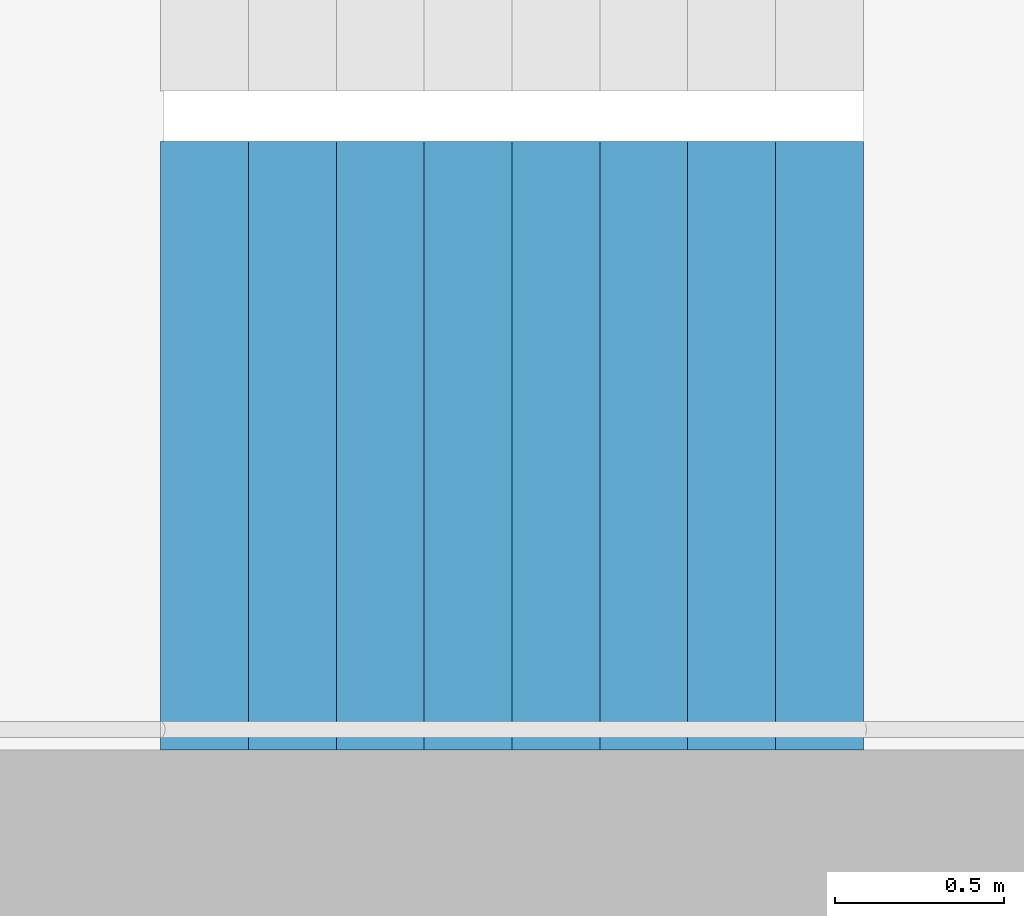
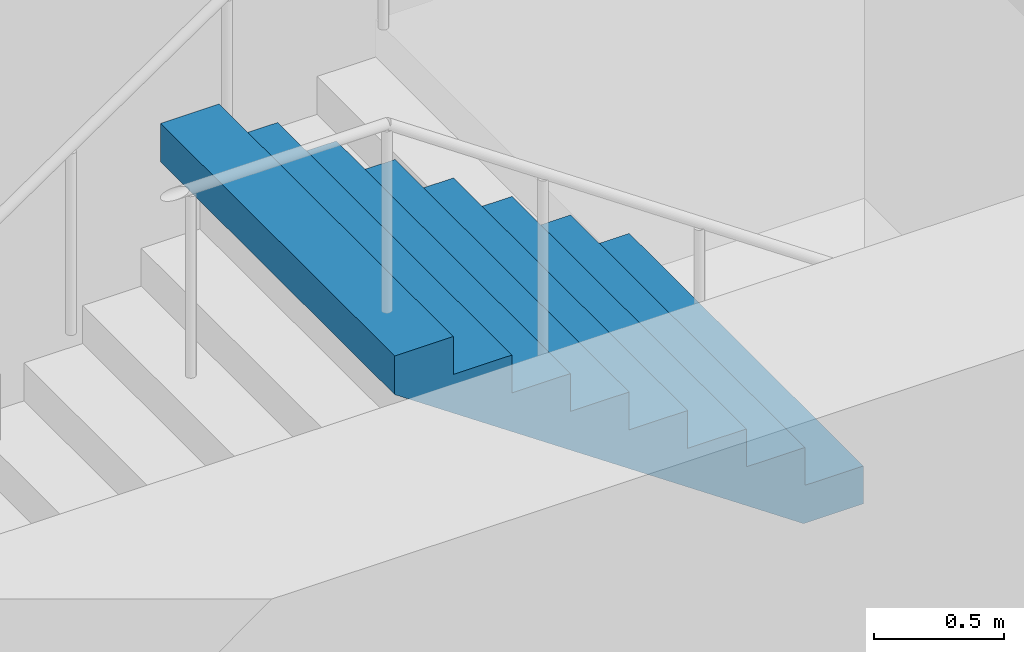
# One storey, part 24 of 28: 1 stair flight, 1 element without a shape of its own.
"""IFC4 building model written with IfcOpenShell, lengths in metres."""

from ifc_helpers import new_model, si_unit, direction, frame, origin, place, context, subcontext, project, spatial, triangles, material, type_object, element, aggregate, save


model = new_model("IFC4")

# Units and contexts
model_context = context("Model", 3, precision=1e-05, world=origin(), true_north=direction((0.0, 1.0)))
body_context = subcontext(model_context, "Body", "Model", "MODEL_VIEW")
ifc_project = project(units=[si_unit("LENGTHUNIT", "METRE"), si_unit("AREAUNIT", "SQUARE_METRE"), si_unit("VOLUMEUNIT", "CUBIC_METRE"), si_unit("PLANEANGLEUNIT", "RADIAN"), si_unit("MASSUNIT", "GRAM", prefix="KILO")], contexts=[model_context])

# Site, building, storey
site_placement = place(None, origin())
site = spatial("IfcSite", under=ifc_project, at=site_placement, CompositionType="ELEMENT")
building_placement = place(site_placement, origin())
building = spatial("IfcBuilding", under=site, at=building_placement, Name="Hakoniwa Tower and Hamabe Station Hall", CompositionType="ELEMENT")
storey_placement = place(building_placement, frame((0.0, 0.0, 35.800048828125)))
storey = spatial("IfcBuildingStorey", under=building, at=storey_placement, Name="L09", CompositionType="ELEMENT", Elevation=35.800048828125)

# Stair, stair flight
ifc_material_1 = material(Name="Concrete C40", Category="concrete")
stair_type = type_object("IfcStairType", Name="ESCAPE STAIR 1800", PredefinedType="HALF_TURN_STAIR", material=ifc_material_1)
stair_placement = place(storey_placement, origin())
stair = element("IfcStair", 1, at=stair_placement, inside=storey, type_object=stair_type, Name="Escape stair ST-4 L09", PredefinedType="HALF_TURN_STAIR")
ifc_material_2 = material(Name="Concrete C40", Category="concrete")
stair_flight_type = type_object("IfcStairFlightType", Name="STAIR FLIGHT 1800", PredefinedType="STRAIGHT", material=ifc_material_2)
stair_flight_placement = place(storey_placement, frame((25.47998046875, -6.60009765625, 1.599853515625), z_axis=(0.0, 0.0, 1.0), x_axis=(-1.0, 0.0, 0.0)))
stair_flight = element("IfcStairFlight", 2, at=stair_flight_placement, type_object=stair_flight_type, Name="ST-4 flight 2", NumberOfRisers=9, NumberOfTreads=8, PredefinedType="STRAIGHT", RiserHeight=0.177777778, TreadLength=0.26, context=body_context, shape_type="Tessellation", body=[
    triangles([(0.0, 0.89990234375, 0.0), (0.260009765625, 0.89990234375, 0.0), (0.265625, 0.89990234375, 0.0), (0.52001953125, 0.89990234375, 0.174072265625), (0.780029296875, 0.89990234375, 0.351806640625), (1.0400390625, 0.89990234375, 0.529541015625), (1.300048828125, 0.89990234375, 0.707275390625), (1.56005859375, 0.89990234375, 0.885009765625), (1.820068359375, 0.89990234375, 1.062744140625), (2.080078125, 0.89990234375, 1.24072265625), (2.080078125, 0.89990234375, 1.422119140625), (1.820068359375, 0.89990234375, 1.422119140625), (1.820068359375, 0.89990234375, 1.244384765625), (1.56005859375, 0.89990234375, 1.244384765625), (1.56005859375, 0.89990234375, 1.066650390625), (1.300048828125, 0.89990234375, 1.066650390625), (1.300048828125, 0.89990234375, 0.888916015625), (1.0400390625, 0.89990234375, 0.888916015625), (1.0400390625, 0.89990234375, 0.711181640625), (0.780029296875, 0.89990234375, 0.711181640625), (0.780029296875, 0.89990234375, 0.533447265625), (0.52001953125, 0.89990234375, 0.533447265625), (0.52001953125, 0.89990234375, 0.35546875), (0.265625, 0.89990234375, 0.35546875), (0.260009765625, 0.89990234375, 0.35546875), (0.260009765625, 0.89990234375, 0.177734375), (0.0, 0.89990234375, 0.177734375), (0.0, 0.06005859375, 0.0), (0.260009765625, 0.06005859375, 0.0), (0.265625, 0.06005859375, 0.0), (0.52001953125, 0.06005859375, 0.174072265625), (0.780029296875, 0.06005859375, 0.351806640625), (1.0400390625, 0.06005859375, 0.529541015625), (1.300048828125, 0.06005859375, 0.707275390625), (1.56005859375, 0.06005859375, 0.885009765625), (1.820068359375, 0.06005859375, 1.062744140625), (2.080078125, 0.06005859375, 1.24072265625), (2.080078125, 0.06005859375, 1.422119140625), (1.820068359375, 0.06005859375, 1.422119140625), (1.820068359375, 0.06005859375, 1.244384765625), (1.56005859375, 0.06005859375, 1.244384765625), (1.56005859375, 0.06005859375, 1.066650390625), (1.300048828125, 0.06005859375, 1.066650390625), (1.300048828125, 0.06005859375, 0.888916015625), (1.0400390625, 0.06005859375, 0.888916015625), (1.0400390625, 0.06005859375, 0.711181640625), (0.780029296875, 0.06005859375, 0.711181640625), (0.780029296875, 0.06005859375, 0.533447265625), (0.52001953125, 0.06005859375, 0.533447265625), (0.52001953125, 0.06005859375, 0.35546875), (0.265625, 0.06005859375, 0.35546875), (0.260009765625, 0.06005859375, 0.35546875), (0.260009765625, 0.06005859375, 0.177734375), (0.0, 0.06005859375, 0.177734375), (0.0, 0.04296875, 0.0), (0.260009765625, 0.04296875, 0.0), (0.265625, 0.04296875, 0.0), (0.52001953125, 0.04296875, 0.174072265625), (0.780029296875, 0.04296875, 0.351806640625), (1.0400390625, 0.04296875, 0.529541015625), (1.300048828125, 0.04296875, 0.707275390625), (1.56005859375, 0.04296875, 0.885009765625), (1.820068359375, 0.04296875, 1.062744140625), (2.080078125, 0.04296875, 1.24072265625), (2.080078125, 0.04296875, 1.422119140625), (1.820068359375, 0.04296875, 1.422119140625), (1.820068359375, 0.04296875, 1.244384765625), (1.56005859375, 0.04296875, 1.244384765625), (1.56005859375, 0.04296875, 1.066650390625), (1.300048828125, 0.04296875, 1.066650390625), (1.300048828125, 0.04296875, 0.888916015625), (1.0400390625, 0.04296875, 0.888916015625), (1.0400390625, 0.04296875, 0.711181640625), (0.780029296875, 0.04296875, 0.711181640625), (0.780029296875, 0.04296875, 0.533447265625), (0.52001953125, 0.04296875, 0.533447265625), (0.52001953125, 0.04296875, 0.35546875), (0.265625, 0.04296875, 0.35546875), (0.260009765625, 0.04296875, 0.35546875), (0.260009765625, 0.04296875, 0.177734375), (0.0, 0.04296875, 0.177734375), (0.0, 0.025634765625, 0.0), (0.260009765625, 0.025634765625, 0.0), (0.265625, 0.025634765625, 0.0), (0.52001953125, 0.025634765625, 0.174072265625), (0.780029296875, 0.025634765625, 0.351806640625), (1.0400390625, 0.025634765625, 0.529541015625), (1.300048828125, 0.025634765625, 0.707275390625), (1.56005859375, 0.025634765625, 0.885009765625), (1.820068359375, 0.025634765625, 1.062744140625), (2.080078125, 0.025634765625, 1.24072265625), (2.080078125, 0.025634765625, 1.422119140625), (1.820068359375, 0.025634765625, 1.422119140625), (1.820068359375, 0.025634765625, 1.244384765625), (1.56005859375, 0.025634765625, 1.244384765625), (1.56005859375, 0.025634765625, 1.066650390625), (1.300048828125, 0.025634765625, 1.066650390625), (1.300048828125, 0.025634765625, 0.888916015625), (1.0400390625, 0.025634765625, 0.888916015625), (1.0400390625, 0.025634765625, 0.711181640625), (0.780029296875, 0.025634765625, 0.711181640625), (0.780029296875, 0.025634765625, 0.533447265625), (0.52001953125, 0.025634765625, 0.533447265625), (0.52001953125, 0.025634765625, 0.35546875), (0.265625, 0.025634765625, 0.35546875), (0.260009765625, 0.025634765625, 0.35546875), (0.260009765625, 0.025634765625, 0.177734375), (0.0, 0.025634765625, 0.177734375), (0.0, 0.008544921875, 0.0), (0.260009765625, 0.008544921875, 0.0), (0.265625, 0.008544921875, 0.0), (0.52001953125, 0.008544921875, 0.174072265625), (0.780029296875, 0.008544921875, 0.351806640625), (1.0400390625, 0.008544921875, 0.529541015625), (1.300048828125, 0.008544921875, 0.707275390625), (1.56005859375, 0.008544921875, 0.885009765625), (1.820068359375, 0.008544921875, 1.062744140625), (2.080078125, 0.008544921875, 1.24072265625), (2.080078125, 0.008544921875, 1.422119140625), (1.820068359375, 0.008544921875, 1.422119140625), (1.820068359375, 0.008544921875, 1.244384765625), (1.56005859375, 0.008544921875, 1.244384765625), (1.56005859375, 0.008544921875, 1.066650390625), (1.300048828125, 0.008544921875, 1.066650390625), (1.300048828125, 0.008544921875, 0.888916015625), (1.0400390625, 0.008544921875, 0.888916015625), (1.0400390625, 0.008544921875, 0.711181640625), (0.780029296875, 0.008544921875, 0.711181640625), (0.780029296875, 0.008544921875, 0.533447265625), (0.52001953125, 0.008544921875, 0.533447265625), (0.52001953125, 0.008544921875, 0.35546875), (0.265625, 0.008544921875, 0.35546875), (0.260009765625, 0.008544921875, 0.35546875), (0.260009765625, 0.008544921875, 0.177734375), (0.0, 0.008544921875, 0.177734375), (0.0, -0.008544921875, 0.0), (0.260009765625, -0.008544921875, 0.0), (0.265625, -0.008544921875, 0.0), (0.52001953125, -0.008544921875, 0.174072265625), (0.780029296875, -0.008544921875, 0.351806640625), (1.0400390625, -0.008544921875, 0.529541015625), (1.300048828125, -0.008544921875, 0.707275390625), (1.56005859375, -0.008544921875, 0.885009765625), (1.820068359375, -0.008544921875, 1.062744140625), (2.080078125, -0.008544921875, 1.24072265625), (2.080078125, -0.008544921875, 1.422119140625), (1.820068359375, -0.008544921875, 1.422119140625), (1.820068359375, -0.008544921875, 1.244384765625), (1.56005859375, -0.008544921875, 1.244384765625), (1.56005859375, -0.008544921875, 1.066650390625), (1.300048828125, -0.008544921875, 1.066650390625), (1.300048828125, -0.008544921875, 0.888916015625), (1.0400390625, -0.008544921875, 0.888916015625), (1.0400390625, -0.008544921875, 0.711181640625), (0.780029296875, -0.008544921875, 0.711181640625), (0.780029296875, -0.008544921875, 0.533447265625), (0.52001953125, -0.008544921875, 0.533447265625), (0.52001953125, -0.008544921875, 0.35546875), (0.265625, -0.008544921875, 0.35546875), (0.260009765625, -0.008544921875, 0.35546875), (0.260009765625, -0.008544921875, 0.177734375), (0.0, -0.008544921875, 0.177734375), (0.0, -0.025634765625, 0.0), (0.260009765625, -0.025634765625, 0.0), (0.265625, -0.025634765625, 0.0), (0.52001953125, -0.025634765625, 0.174072265625), (0.780029296875, -0.025634765625, 0.351806640625), (1.0400390625, -0.025634765625, 0.529541015625), (1.300048828125, -0.025634765625, 0.707275390625), (1.56005859375, -0.025634765625, 0.885009765625), (1.820068359375, -0.025634765625, 1.062744140625), (2.080078125, -0.025634765625, 1.24072265625), (2.080078125, -0.025634765625, 1.422119140625), (1.820068359375, -0.025634765625, 1.422119140625), (1.820068359375, -0.025634765625, 1.244384765625), (1.56005859375, -0.025634765625, 1.244384765625), (1.56005859375, -0.025634765625, 1.066650390625), (1.300048828125, -0.025634765625, 1.066650390625), (1.300048828125, -0.025634765625, 0.888916015625), (1.0400390625, -0.025634765625, 0.888916015625), (1.0400390625, -0.025634765625, 0.711181640625), (0.780029296875, -0.025634765625, 0.711181640625), (0.780029296875, -0.025634765625, 0.533447265625), (0.52001953125, -0.025634765625, 0.533447265625), (0.52001953125, -0.025634765625, 0.35546875), (0.265625, -0.025634765625, 0.35546875), (0.260009765625, -0.025634765625, 0.35546875), (0.260009765625, -0.025634765625, 0.177734375), (0.0, -0.025634765625, 0.177734375), (0.0, -0.04296875, 0.0), (0.260009765625, -0.04296875, 0.0), (0.265625, -0.04296875, 0.0), (0.52001953125, -0.04296875, 0.174072265625), (0.780029296875, -0.04296875, 0.351806640625), (1.0400390625, -0.04296875, 0.529541015625), (1.300048828125, -0.04296875, 0.707275390625), (1.56005859375, -0.04296875, 0.885009765625), (1.820068359375, -0.04296875, 1.062744140625), (2.080078125, -0.04296875, 1.24072265625), (2.080078125, -0.04296875, 1.422119140625), (1.820068359375, -0.04296875, 1.422119140625), (1.820068359375, -0.04296875, 1.244384765625), (1.56005859375, -0.04296875, 1.244384765625), (1.56005859375, -0.04296875, 1.066650390625), (1.300048828125, -0.04296875, 1.066650390625), (1.300048828125, -0.04296875, 0.888916015625), (1.0400390625, -0.04296875, 0.888916015625), (1.0400390625, -0.04296875, 0.711181640625), (0.780029296875, -0.04296875, 0.711181640625), (0.780029296875, -0.04296875, 0.533447265625), (0.52001953125, -0.04296875, 0.533447265625), (0.52001953125, -0.04296875, 0.35546875), (0.265625, -0.04296875, 0.35546875), (0.260009765625, -0.04296875, 0.35546875), (0.260009765625, -0.04296875, 0.177734375), (0.0, -0.04296875, 0.177734375), (0.0, -0.06005859375, 0.0), (0.260009765625, -0.06005859375, 0.0), (0.265625, -0.06005859375, 0.0), (0.52001953125, -0.06005859375, 0.174072265625), (0.780029296875, -0.06005859375, 0.351806640625), (1.0400390625, -0.06005859375, 0.529541015625), (1.300048828125, -0.06005859375, 0.707275390625), (1.56005859375, -0.06005859375, 0.885009765625), (1.820068359375, -0.06005859375, 1.062744140625), (2.080078125, -0.06005859375, 1.24072265625), (2.080078125, -0.06005859375, 1.422119140625), (1.820068359375, -0.06005859375, 1.422119140625), (1.820068359375, -0.06005859375, 1.244384765625), (1.56005859375, -0.06005859375, 1.244384765625), (1.56005859375, -0.06005859375, 1.066650390625), (1.300048828125, -0.06005859375, 1.066650390625), (1.300048828125, -0.06005859375, 0.888916015625), (1.0400390625, -0.06005859375, 0.888916015625), (1.0400390625, -0.06005859375, 0.711181640625), (0.780029296875, -0.06005859375, 0.711181640625), (0.780029296875, -0.06005859375, 0.533447265625), (0.52001953125, -0.06005859375, 0.533447265625), (0.52001953125, -0.06005859375, 0.35546875), (0.265625, -0.06005859375, 0.35546875), (0.260009765625, -0.06005859375, 0.35546875), (0.260009765625, -0.06005859375, 0.177734375), (0.0, -0.06005859375, 0.177734375), (0.0, -0.89990234375, 0.0), (0.260009765625, -0.89990234375, 0.0), (0.265625, -0.89990234375, 0.0), (0.52001953125, -0.89990234375, 0.174072265625), (0.780029296875, -0.89990234375, 0.351806640625), (1.0400390625, -0.89990234375, 0.529541015625), (1.300048828125, -0.89990234375, 0.707275390625), (1.56005859375, -0.89990234375, 0.885009765625), (1.820068359375, -0.89990234375, 1.062744140625), (2.080078125, -0.89990234375, 1.24072265625), (2.080078125, -0.89990234375, 1.422119140625), (1.820068359375, -0.89990234375, 1.422119140625), (1.820068359375, -0.89990234375, 1.244384765625), (1.56005859375, -0.89990234375, 1.244384765625), (1.56005859375, -0.89990234375, 1.066650390625), (1.300048828125, -0.89990234375, 1.066650390625), (1.300048828125, -0.89990234375, 0.888916015625), (1.0400390625, -0.89990234375, 0.888916015625), (1.0400390625, -0.89990234375, 0.711181640625), (0.780029296875, -0.89990234375, 0.711181640625), (0.780029296875, -0.89990234375, 0.533447265625), (0.52001953125, -0.89990234375, 0.533447265625), (0.52001953125, -0.89990234375, 0.35546875), (0.265625, -0.89990234375, 0.35546875), (0.260009765625, -0.89990234375, 0.35546875), (0.260009765625, -0.89990234375, 0.177734375), (0.0, -0.89990234375, 0.177734375)], [[2, 27, 26], [245, 269, 270], [2, 1, 27], [245, 270, 244], [3, 25, 24], [246, 267, 268], [3, 26, 25], [246, 268, 269], [3, 2, 26], [246, 269, 245], [4, 24, 23], [247, 266, 267], [4, 3, 24], [247, 267, 246], [5, 22, 21], [248, 264, 265], [5, 23, 22], [248, 265, 266], [5, 4, 23], [248, 266, 247], [6, 20, 19], [249, 262, 263], [6, 21, 20], [249, 263, 264], [6, 5, 21], [249, 264, 248], [7, 18, 17], [250, 260, 261], [7, 19, 18], [250, 261, 262], [7, 6, 19], [250, 262, 249], [8, 16, 15], [251, 258, 259], [8, 17, 16], [251, 259, 260], [8, 7, 17], [251, 260, 250], [9, 14, 13], [252, 256, 257], [9, 15, 14], [252, 257, 258], [9, 8, 15], [252, 258, 251], [10, 12, 11], [253, 254, 255], [10, 13, 12], [253, 255, 256], [10, 9, 13], [253, 256, 252], [1, 2, 29], [1, 29, 28], [28, 29, 56], [28, 56, 55], [55, 56, 83], [55, 83, 82], [82, 83, 110], [82, 110, 109], [109, 110, 137], [109, 137, 136], [136, 137, 164], [136, 164, 163], [163, 164, 191], [163, 191, 190], [190, 191, 218], [190, 218, 217], [217, 218, 245], [217, 245, 244], [2, 3, 30], [2, 30, 29], [29, 30, 57], [29, 57, 56], [56, 57, 84], [56, 84, 83], [83, 84, 111], [83, 111, 110], [110, 111, 138], [110, 138, 137], [137, 138, 165], [137, 165, 164], [164, 165, 192], [164, 192, 191], [191, 192, 219], [191, 219, 218], [218, 219, 246], [218, 246, 245], [3, 4, 31], [3, 31, 30], [30, 31, 58], [30, 58, 57], [57, 58, 85], [57, 85, 84], [84, 85, 112], [84, 112, 111], [111, 112, 139], [111, 139, 138], [138, 139, 166], [138, 166, 165], [165, 166, 193], [165, 193, 192], [192, 193, 220], [192, 220, 219], [219, 220, 247], [219, 247, 246], [4, 5, 32], [4, 32, 31], [31, 32, 59], [31, 59, 58], [58, 59, 86], [58, 86, 85], [85, 86, 113], [85, 113, 112], [112, 113, 140], [112, 140, 139], [139, 140, 167], [139, 167, 166], [166, 167, 194], [166, 194, 193], [193, 194, 221], [193, 221, 220], [220, 221, 248], [220, 248, 247], [5, 6, 33], [5, 33, 32], [32, 33, 60], [32, 60, 59], [59, 60, 87], [59, 87, 86], [86, 87, 114], [86, 114, 113], [113, 114, 141], [113, 141, 140], [140, 141, 168], [140, 168, 167], [167, 168, 195], [167, 195, 194], [194, 195, 222], [194, 222, 221], [221, 222, 249], [221, 249, 248], [6, 7, 34], [6, 34, 33], [33, 34, 61], [33, 61, 60], [60, 61, 88], [60, 88, 87], [87, 88, 115], [87, 115, 114], [114, 115, 142], [114, 142, 141], [141, 142, 169], [141, 169, 168], [168, 169, 196], [168, 196, 195], [195, 196, 223], [195, 223, 222], [222, 223, 250], [222, 250, 249], [7, 8, 35], [7, 35, 34], [34, 35, 62], [34, 62, 61], [61, 62, 89], [61, 89, 88], [88, 89, 116], [88, 116, 115], [115, 116, 143], [115, 143, 142], [142, 143, 170], [142, 170, 169], [169, 170, 197], [169, 197, 196], [196, 197, 224], [196, 224, 223], [223, 224, 251], [223, 251, 250], [8, 9, 36], [8, 36, 35], [35, 36, 63], [35, 63, 62], [62, 63, 90], [62, 90, 89], [89, 90, 117], [89, 117, 116], [116, 117, 144], [116, 144, 143], [143, 144, 171], [143, 171, 170], [170, 171, 198], [170, 198, 197], [197, 198, 225], [197, 225, 224], [224, 225, 252], [224, 252, 251], [9, 10, 37], [9, 37, 36], [36, 37, 64], [36, 64, 63], [63, 64, 91], [63, 91, 90], [90, 91, 118], [90, 118, 117], [117, 118, 145], [117, 145, 144], [144, 145, 172], [144, 172, 171], [171, 172, 199], [171, 199, 198], [198, 199, 226], [198, 226, 225], [225, 226, 253], [225, 253, 252], [10, 11, 38], [10, 38, 37], [37, 38, 65], [37, 65, 64], [64, 65, 92], [64, 92, 91], [91, 92, 119], [91, 119, 118], [118, 119, 146], [118, 146, 145], [145, 146, 173], [145, 173, 172], [172, 173, 200], [172, 200, 199], [199, 200, 227], [199, 227, 226], [226, 227, 254], [226, 254, 253], [11, 12, 39], [11, 39, 38], [38, 39, 66], [38, 66, 65], [65, 66, 93], [65, 93, 92], [92, 93, 120], [92, 120, 119], [119, 120, 147], [119, 147, 146], [146, 147, 174], [146, 174, 173], [173, 174, 201], [173, 201, 200], [200, 201, 228], [200, 228, 227], [227, 228, 255], [227, 255, 254], [12, 13, 40], [12, 40, 39], [39, 40, 67], [39, 67, 66], [66, 67, 94], [66, 94, 93], [93, 94, 121], [93, 121, 120], [120, 121, 148], [120, 148, 147], [147, 148, 175], [147, 175, 174], [174, 175, 202], [174, 202, 201], [201, 202, 229], [201, 229, 228], [228, 229, 256], [228, 256, 255], [13, 14, 41], [13, 41, 40], [40, 41, 68], [40, 68, 67], [67, 68, 95], [67, 95, 94], [94, 95, 122], [94, 122, 121], [121, 122, 149], [121, 149, 148], [148, 149, 176], [148, 176, 175], [175, 176, 203], [175, 203, 202], [202, 203, 230], [202, 230, 229], [229, 230, 257], [229, 257, 256], [14, 15, 42], [14, 42, 41], [41, 42, 69], [41, 69, 68], [68, 69, 96], [68, 96, 95], [95, 96, 123], [95, 123, 122], [122, 123, 150], [122, 150, 149], [149, 150, 177], [149, 177, 176], [176, 177, 204], [176, 204, 203], [203, 204, 231], [203, 231, 230], [230, 231, 258], [230, 258, 257], [15, 16, 43], [15, 43, 42], [42, 43, 70], [42, 70, 69], [69, 70, 97], [69, 97, 96], [96, 97, 124], [96, 124, 123], [123, 124, 151], [123, 151, 150], [150, 151, 178], [150, 178, 177], [177, 178, 205], [177, 205, 204], [204, 205, 232], [204, 232, 231], [231, 232, 259], [231, 259, 258], [16, 17, 44], [16, 44, 43], [43, 44, 71], [43, 71, 70], [70, 71, 98], [70, 98, 97], [97, 98, 125], [97, 125, 124], [124, 125, 152], [124, 152, 151], [151, 152, 179], [151, 179, 178], [178, 179, 206], [178, 206, 205], [205, 206, 233], [205, 233, 232], [232, 233, 260], [232, 260, 259], [17, 18, 45], [17, 45, 44], [44, 45, 72], [44, 72, 71], [71, 72, 99], [71, 99, 98], [98, 99, 126], [98, 126, 125], [125, 126, 153], [125, 153, 152], [152, 153, 180], [152, 180, 179], [179, 180, 207], [179, 207, 206], [206, 207, 234], [206, 234, 233], [233, 234, 261], [233, 261, 260], [18, 19, 46], [18, 46, 45], [45, 46, 73], [45, 73, 72], [72, 73, 100], [72, 100, 99], [99, 100, 127], [99, 127, 126], [126, 127, 154], [126, 154, 153], [153, 154, 181], [153, 181, 180], [180, 181, 208], [180, 208, 207], [207, 208, 235], [207, 235, 234], [234, 235, 262], [234, 262, 261], [19, 20, 47], [19, 47, 46], [46, 47, 74], [46, 74, 73], [73, 74, 101], [73, 101, 100], [100, 101, 128], [100, 128, 127], [127, 128, 155], [127, 155, 154], [154, 155, 182], [154, 182, 181], [181, 182, 209], [181, 209, 208], [208, 209, 236], [208, 236, 235], [235, 236, 263], [235, 263, 262], [20, 21, 48], [20, 48, 47], [47, 48, 75], [47, 75, 74], [74, 75, 102], [74, 102, 101], [101, 102, 129], [101, 129, 128], [128, 129, 156], [128, 156, 155], [155, 156, 183], [155, 183, 182], [182, 183, 210], [182, 210, 209], [209, 210, 237], [209, 237, 236], [236, 237, 264], [236, 264, 263], [21, 22, 49], [21, 49, 48], [48, 49, 76], [48, 76, 75], [75, 76, 103], [75, 103, 102], [102, 103, 130], [102, 130, 129], [129, 130, 157], [129, 157, 156], [156, 157, 184], [156, 184, 183], [183, 184, 211], [183, 211, 210], [210, 211, 238], [210, 238, 237], [237, 238, 265], [237, 265, 264], [22, 23, 50], [22, 50, 49], [49, 50, 77], [49, 77, 76], [76, 77, 104], [76, 104, 103], [103, 104, 131], [103, 131, 130], [130, 131, 158], [130, 158, 157], [157, 158, 185], [157, 185, 184], [184, 185, 212], [184, 212, 211], [211, 212, 239], [211, 239, 238], [238, 239, 266], [238, 266, 265], [23, 24, 51], [23, 51, 50], [50, 51, 78], [50, 78, 77], [77, 78, 105], [77, 105, 104], [104, 105, 132], [104, 132, 131], [131, 132, 159], [131, 159, 158], [158, 159, 186], [158, 186, 185], [185, 186, 213], [185, 213, 212], [212, 213, 240], [212, 240, 239], [239, 240, 267], [239, 267, 266], [24, 25, 52], [24, 52, 51], [51, 52, 79], [51, 79, 78], [78, 79, 106], [78, 106, 105], [105, 106, 133], [105, 133, 132], [132, 133, 160], [132, 160, 159], [159, 160, 187], [159, 187, 186], [186, 187, 214], [186, 214, 213], [213, 214, 241], [213, 241, 240], [240, 241, 268], [240, 268, 267], [25, 26, 53], [25, 53, 52], [52, 53, 80], [52, 80, 79], [79, 80, 107], [79, 107, 106], [106, 107, 134], [106, 134, 133], [133, 134, 161], [133, 161, 160], [160, 161, 188], [160, 188, 187], [187, 188, 215], [187, 215, 214], [214, 215, 242], [214, 242, 241], [241, 242, 269], [241, 269, 268], [26, 27, 54], [26, 54, 53], [53, 54, 81], [53, 81, 80], [80, 81, 108], [80, 108, 107], [107, 108, 135], [107, 135, 134], [134, 135, 162], [134, 162, 161], [161, 162, 189], [161, 189, 188], [188, 189, 216], [188, 216, 215], [215, 216, 243], [215, 243, 242], [242, 243, 270], [242, 270, 269], [27, 1, 28], [27, 28, 54], [54, 28, 55], [54, 55, 81], [81, 55, 82], [81, 82, 108], [108, 82, 109], [108, 109, 135], [135, 109, 136], [135, 136, 162], [162, 136, 163], [162, 163, 189], [189, 163, 190], [189, 190, 216], [216, 190, 217], [216, 217, 243], [243, 217, 244], [243, 244, 270]], closed=True),
])
aggregate(stair, [stair_flight])

save(model, "model.ifc")
